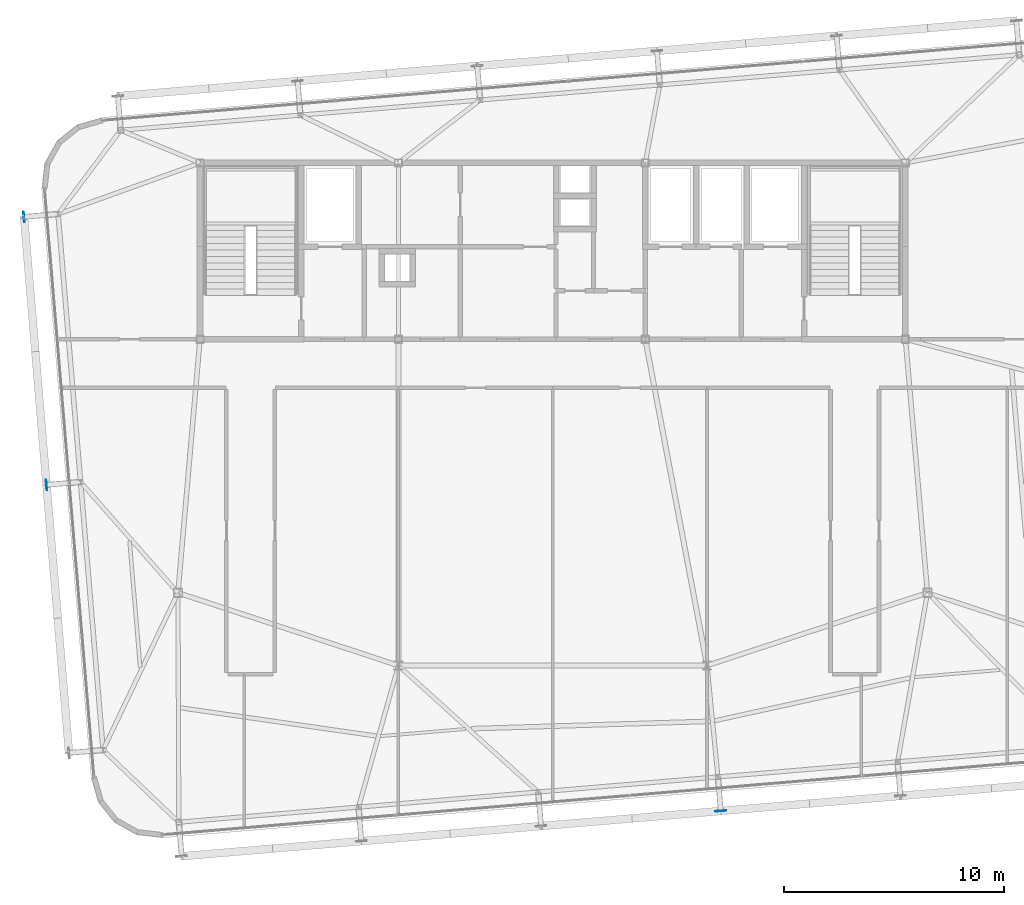
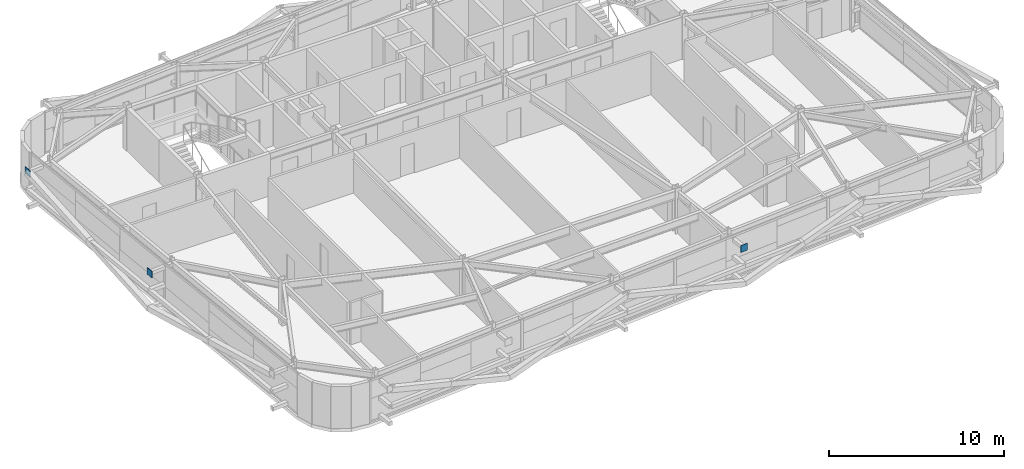
# One storey, part 28 of 37: 3 plates.
"""IFC4 building model written with IfcOpenShell, lengths in metres."""

from ifc_helpers import new_model, si_unit, direction, frame, origin, origin_2d, place, context, subcontext, project, spatial, rectangle, extrude, source, transform, mapped, material, layer, layer_set, type_object, element, save


model = new_model("IFC4")

# Units and contexts
model_context = context("Model", 3, precision=1e-05, world=origin(), true_north=direction((0.0, 1.0)))
body_context = subcontext(model_context, "Body", "Model", "MODEL_VIEW")
ifc_project = project(units=[si_unit("LENGTHUNIT", "METRE"), si_unit("AREAUNIT", "SQUARE_METRE"), si_unit("VOLUMEUNIT", "CUBIC_METRE"), si_unit("PLANEANGLEUNIT", "RADIAN"), si_unit("MASSUNIT", "GRAM", prefix="KILO")], contexts=[model_context])

# Site, building, storey
site_placement = place(None, origin())
site = spatial("IfcSite", under=ifc_project, at=site_placement, CompositionType="ELEMENT")
building_placement = place(site_placement, origin())
building = spatial("IfcBuilding", under=site, at=building_placement, Name="Taldren Reach Tower", CompositionType="ELEMENT")
storey_placement = place(building_placement, frame((0.0, 0.0, 182.0)))
storey = spatial("IfcBuildingStorey", under=building, at=storey_placement, Name="L55", CompositionType="ELEMENT", Elevation=182.0)

# Plates
ifc_material = material(Name="Steel Gr 450 (C450L0)", Category="steel")
ifc_layer = layer(ifc_material, 0.031982421875)
ifc_layer_set = layer_set([ifc_layer], Name="Steel Gr 450 (C450L0)")
plate_type = type_object("IfcPlateType", Name="PL-GUSSET-32", PredefinedType="SHEET", material=ifc_layer_set)
shared_shape = source(origin(), body_context, "Body", "SweptSolid", [
    extrude(rectangle(XDim=0.47998046875, YDim=0.031982421875, at=origin_2d()), origin(), (0.0, 0.0, 1.0), 0.47998046875),
])
for number, where, z_axis, x_axis, name in (
    (1, (42.623291015625, 2.60302734375, 2.409912109375), (0.0, 0.0, 1.0), (0.99649285925, 0.083677843332, 0.0), "Exoskeleton star-node gusset plate B4-S4 L55"),
    (2, (12.0380859375, 17.3955078125, 2.409912109375), (0.0, 0.0, 1.0), (-0.083677843332, 0.99649285925, 0.0), "Exoskeleton star-node gusset plate B4-W2 L55"),
    (3, (11.017333984375, 29.552734375, 2.409912109375), (0.0, 0.0, 1.0), (-0.083677843332, 0.99649285925, 0.0), "Exoskeleton star-node gusset plate B4-W3 L55"),
):
    element("IfcPlate", number, at=place(storey_placement, frame(where, z_axis=z_axis, x_axis=x_axis)), inside=storey, type_object=plate_type, Name=name, PredefinedType="SHEET", context=body_context, shape_type="MappedRepresentation", body=[
        mapped(shared_shape, transform((0.0, 0.0, 0.0), scale=1.0)),
    ])

save(model, "model.ifc")
